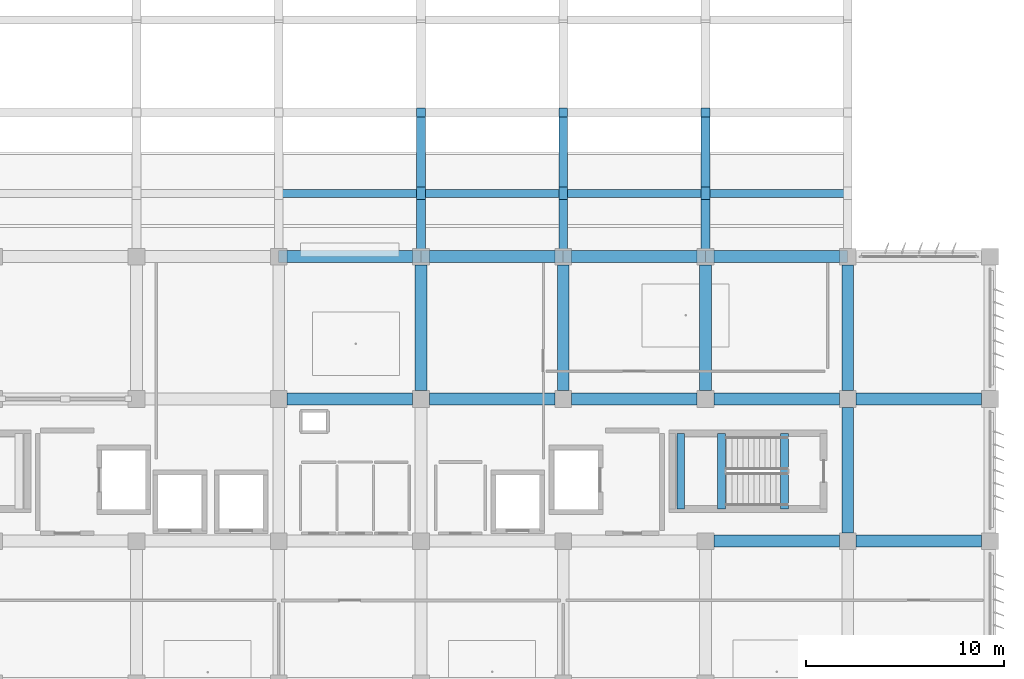
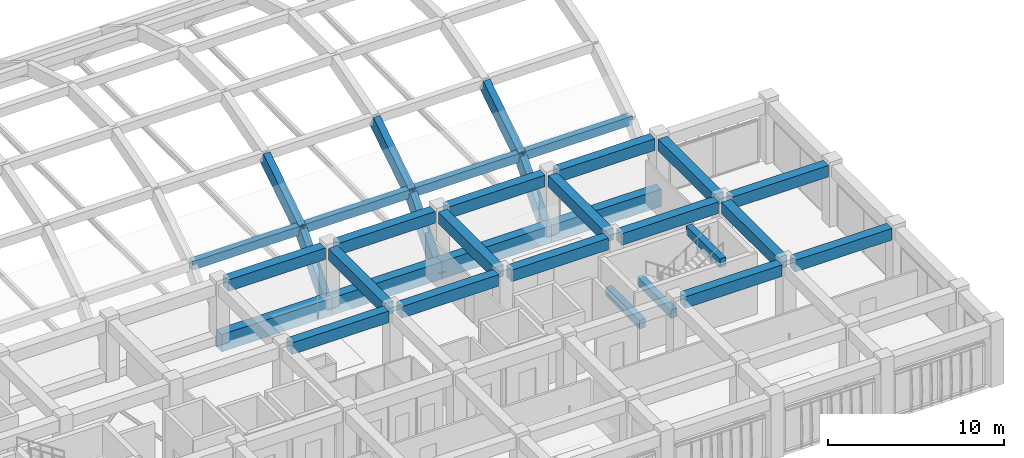
# One storey, part 18 of 48: 33 beams.
"""IFC4 building model written with IfcOpenShell, lengths in metres."""

from ifc_helpers import new_model, si_unit, direction, frame, origin, origin_2d, place, context, subcontext, project, spatial, rectangle, extrude, material, material_profile, profile_set, type_object, element, save


model = new_model("IFC4")

# Units and contexts
model_context = context("Model", 3, precision=1e-05, world=origin(), true_north=direction((0.0, 1.0)))
body_context = subcontext(model_context, "Body", "Model", "MODEL_VIEW")
ifc_project = project(units=[si_unit("LENGTHUNIT", "METRE"), si_unit("AREAUNIT", "SQUARE_METRE"), si_unit("VOLUMEUNIT", "CUBIC_METRE"), si_unit("PLANEANGLEUNIT", "RADIAN"), si_unit("MASSUNIT", "GRAM", prefix="KILO")], contexts=[model_context])

# Site, building, storey
site_placement = place(None, origin())
site = spatial("IfcSite", under=ifc_project, at=site_placement, CompositionType="ELEMENT")
building_placement = place(site_placement, origin())
building = spatial("IfcBuilding", under=site, at=building_placement, Name="Kazehaya Institute of Natural Sciences", CompositionType="ELEMENT")
storey_placement = place(building_placement, frame((0.0, 0.0, 19.800048828125)))
storey = spatial("IfcBuildingStorey", under=building, at=storey_placement, Name="L04", CompositionType="ELEMENT", Elevation=19.800048828125)

# Beams
ifc_material = material(Name="Concrete Fc36", Category="concrete")
ifc_material_profile_1 = material_profile(ifc_material, rectangle(XDim=0.449951171875, YDim=0.85009765625, at=origin_2d()), Name="RC-450x850")
ifc_profile_set_1 = profile_set([ifc_material_profile_1], Name="Concrete Fc36")
beam_type_1 = type_object("IfcBeamType", Name="BM-AR-450x850", PredefinedType="BEAM", material=ifc_profile_set_1)
beam_1_placement = place(storey_placement, frame((90.60009765625, 35.60009765625, -0.429931640625), z_axis=(0.0, 0.659222645841, 0.751947806175), x_axis=(-1.0, 0.0, 0.0)))
element("IfcBeam", 1, at=beam_1_placement, inside=storey, type_object=beam_type_1, Name="SH-VOL2 transverse arch rib SH-VOL2-RIB-90-01", PredefinedType="BEAM", context=body_context, shape_type="SweptSolid", body=[
    extrude(rectangle(XDim=0.449951171875, YDim=0.85009765625, at=origin_2d()), origin(), (0.0, 0.0, 1.0), 4.8603515625),
])
beam_2_placement = place(storey_placement, frame((90.60009765625, 38.80419921875, 3.224853515625), z_axis=(0.0, 0.843332482097, 0.537392151636), x_axis=(-1.0, 0.0, 0.0)))
element("IfcBeam", 2, at=beam_2_placement, inside=storey, type_object=beam_type_1, Name="SH-VOL2 transverse arch rib SH-VOL2-RIB-90-03", PredefinedType="BEAM", context=body_context, shape_type="SweptSolid", body=[
    extrude(rectangle(XDim=0.449951171875, YDim=0.85009765625, at=origin_2d()), origin(), (0.0, 0.0, 1.0), 4.860595703125),
])
beam_3_placement = place(storey_placement, frame((97.800048828125, 35.60009765625, -0.429931640625), z_axis=(0.0, 0.659222645841, 0.751947806175), x_axis=(-1.0, 0.0, 0.0)))
element("IfcBeam", 3, at=beam_3_placement, inside=storey, type_object=beam_type_1, Name="SH-VOL2 transverse arch rib SH-VOL2-RIB-97-01", PredefinedType="BEAM", context=body_context, shape_type="SweptSolid", body=[
    extrude(rectangle(XDim=0.449951171875, YDim=0.85009765625, at=origin_2d()), origin(), (0.0, 0.0, 1.0), 4.8603515625),
])
beam_4_placement = place(storey_placement, frame((97.800048828125, 38.80419921875, 3.224853515625), z_axis=(0.0, 0.843332482097, 0.537392151636), x_axis=(-1.0, 0.0, 0.0)))
element("IfcBeam", 4, at=beam_4_placement, inside=storey, type_object=beam_type_1, Name="SH-VOL2 transverse arch rib SH-VOL2-RIB-97-03", PredefinedType="BEAM", context=body_context, shape_type="SweptSolid", body=[
    extrude(rectangle(XDim=0.449951171875, YDim=0.85009765625, at=origin_2d()), origin(), (0.0, 0.0, 1.0), 4.860595703125),
])
beam_5_placement = place(storey_placement, frame((105.0, 35.60009765625, -0.429931640625), z_axis=(0.0, 0.659222645841, 0.751947806175), x_axis=(-1.0, 0.0, 0.0)))
element("IfcBeam", 5, at=beam_5_placement, inside=storey, type_object=beam_type_1, Name="SH-VOL2 transverse arch rib SH-VOL2-RIB-105-01", PredefinedType="BEAM", context=body_context, shape_type="SweptSolid", body=[
    extrude(rectangle(XDim=0.449951171875, YDim=0.85009765625, at=origin_2d()), origin(), (0.0, 0.0, 1.0), 4.8603515625),
])
beam_6_placement = place(storey_placement, frame((105.0, 38.80419921875, 3.224853515625), z_axis=(0.0, 0.843332482097, 0.537392151636), x_axis=(-1.0, 0.0, 0.0)))
element("IfcBeam", 6, at=beam_6_placement, inside=storey, type_object=beam_type_1, Name="SH-VOL2 transverse arch rib SH-VOL2-RIB-105-03", PredefinedType="BEAM", context=body_context, shape_type="SweptSolid", body=[
    extrude(rectangle(XDim=0.449951171875, YDim=0.85009765625, at=origin_2d()), origin(), (0.0, 0.0, 1.0), 4.860595703125),
])
ifc_material_profile_2 = material_profile(ifc_material, rectangle(XDim=0.39990234375, YDim=0.60009765625, at=origin_2d()), Name="RC-400x600")
ifc_profile_set_2 = profile_set([ifc_material_profile_2], Name="Concrete Fc36")
beam_type_2 = type_object("IfcBeamType", Name="BM-B-400x600", PredefinedType="BEAM", material=ifc_profile_set_2)
beam_7_placement = place(storey_placement, frame((83.39990234375, 38.80419921875, 3.344970703125), z_axis=(1.0, 0.0, 0.0), x_axis=(0.0, 1.0, 0.0)))
element("IfcBeam", 7, at=beam_7_placement, inside=storey, type_object=beam_type_2, Name="SH-VOL2 longitudinal shell rib 2", PredefinedType="BEAM", context=body_context, shape_type="SweptSolid", body=[
    extrude(rectangle(XDim=0.39990234375, YDim=0.60009765625, at=origin_2d()), origin(), (0.0, 0.0, 1.0), 7.2001953125),
])
for number, where, z_axis, x_axis, name in (
    (8, (90.60009765625, 38.80419921875, 3.344970703125), (1.0, 0.0, 0.0), (0.0, 1.0, 0.0), "SH-VOL2 longitudinal shell rib 2"),
    (9, (97.800048828125, 38.80419921875, 3.344970703125), (1.0, 0.0, 0.0), (0.0, 1.0, 0.0), "SH-VOL2 longitudinal shell rib 2"),
    (10, (105.0, 38.80419921875, 3.344970703125), (1.0, 0.0, 0.0), (0.0, 1.0, 0.0), "SH-VOL2 longitudinal shell rib 2"),
):
    element("IfcBeam", number, at=place(storey_placement, frame(where, z_axis=z_axis, x_axis=x_axis)), inside=storey, type_object=beam_type_2, Name=name, PredefinedType="BEAM", context=body_context, shape_type="SweptSolid", body=[
        extrude(rectangle(XDim=0.39990234375, YDim=0.60009765625, at=origin_2d()), origin(), (0.0, 0.0, 1.0), 7.199951171875),
    ])
for number, where, z_axis, x_axis, name in (
    (11, (109.0, 22.820068359375, 4.199951171875), (0.0, 1.0, 0.0), (-1.0, 0.0, 0.0), "L05 ST-2 stair header trimmer beam"),
    (12, (103.75, 22.820068359375, 1.7900390625), (0.0, 1.0, 0.0), (-1.0, 0.0, 0.0), "L04 ST-2 landing beam 1"),
    (13, (105.81005859375, 22.820068359375, 1.7900390625), (0.0, 1.0, 0.0), (-1.0, 0.0, 0.0), "L04 ST-2 landing beam 2"),
):
    element("IfcBeam", number, at=place(storey_placement, frame(where, z_axis=z_axis, x_axis=x_axis)), inside=storey, type_object=beam_type_2, Name=name, PredefinedType="BEAM", context=body_context, shape_type="SweptSolid", body=[
        extrude(rectangle(XDim=0.39990234375, YDim=0.60009765625, at=origin_2d()), origin(), (0.0, 0.0, 1.0), 3.83984375),
    ])
ifc_material_profile_3 = material_profile(ifc_material, rectangle(XDim=0.60009765625, YDim=1.199951171875, at=origin_2d()), Name="RC-600x1200")
ifc_profile_set_3 = profile_set([ifc_material_profile_3], Name="Concrete Fc36")
beam_type_3 = type_object("IfcBeamType", Name="BM-EB-600x1200", PredefinedType="BEAM", material=ifc_profile_set_3)
beam_8_placement = place(storey_placement, frame((83.39990234375, 35.60009765625, 0.0), z_axis=(1.0, 0.0, 0.0), x_axis=(0.0, 1.0, 0.0)))
element("IfcBeam", 14, at=beam_8_placement, inside=storey, type_object=beam_type_3, Name="SH-VOL2 centroidal shell edge beam SH-VOL2-EB-S-2340", PredefinedType="BEAM", context=body_context, shape_type="SweptSolid", body=[
    extrude(rectangle(XDim=0.60009765625, YDim=1.199951171875, at=origin_2d()), origin(), (0.0, 0.0, 1.0), 7.2001953125),
])
for number, where, z_axis, x_axis, name in (
    (15, (90.60009765625, 35.60009765625, 0.0), (1.0, 0.0, 0.0), (0.0, 1.0, 0.0), "SH-VOL2 centroidal shell edge beam SH-VOL2-EB-S-2348"),
    (16, (97.800048828125, 35.60009765625, 0.0), (1.0, 0.0, 0.0), (0.0, 1.0, 0.0), "SH-VOL2 centroidal shell edge beam SH-VOL2-EB-S-2356"),
    (17, (105.0, 35.60009765625, 0.0), (1.0, 0.0, 0.0), (0.0, 1.0, 0.0), "SH-VOL2 centroidal shell edge beam SH-VOL2-EB-S-2364"),
):
    element("IfcBeam", number, at=place(storey_placement, frame(where, z_axis=z_axis, x_axis=x_axis)), inside=storey, type_object=beam_type_3, Name=name, PredefinedType="BEAM", context=body_context, shape_type="SweptSolid", body=[
        extrude(rectangle(XDim=0.60009765625, YDim=1.199951171875, at=origin_2d()), origin(), (0.0, 0.0, 1.0), 7.199951171875),
    ])
ifc_material_profile_4 = material_profile(ifc_material, rectangle(XDim=0.60009765625, YDim=0.800048828125, at=origin_2d()), Name="RC-600x800")
ifc_profile_set_4 = profile_set([ifc_material_profile_4], Name="Concrete Fc36")
beam_type_4 = type_object("IfcBeamType", Name="BM-G-600x800", PredefinedType="BEAM", material=ifc_profile_set_4)
beam_9_placement = place(storey_placement, frame((105.425048828125, 21.199951171875, 3.829833984375), z_axis=(1.0, 0.0, 0.0), x_axis=(0.0, 1.0, 0.0)))
element("IfcBeam", 18, at=beam_9_placement, inside=storey, type_object=beam_type_4, Name="L04 primary X girder BMX-L04-1050-212", PredefinedType="BEAM", context=body_context, shape_type="SweptSolid", body=[
    extrude(rectangle(XDim=0.60009765625, YDim=0.800048828125, at=origin_2d()), origin(), (0.0, 0.0, 1.0), 6.349853515625),
])
for number, where, z_axis, x_axis, name in (
    (19, (112.625, 21.199951171875, 3.829833984375), (1.0, 0.0, 0.0), (0.0, 1.0, 0.0), "L04 primary X girder BMX-L04-1122-212"),
    (20, (83.824951171875, 28.39990234375, 3.829833984375), (1.0, 0.0, 0.0), (0.0, 1.0, 0.0), "L04 primary X girder BMX-L04-834-284"),
    (21, (91.02490234375, 28.39990234375, 3.829833984375), (1.0, 0.0, 0.0), (0.0, 1.0, 0.0), "L04 primary X girder BMX-L04-906-284"),
):
    element("IfcBeam", number, at=place(storey_placement, frame(where, z_axis=z_axis, x_axis=x_axis)), inside=storey, type_object=beam_type_4, Name=name, PredefinedType="BEAM", context=body_context, shape_type="SweptSolid", body=[
        extrude(rectangle(XDim=0.60009765625, YDim=0.800048828125, at=origin_2d()), origin(), (0.0, 0.0, 1.0), 6.35009765625),
    ])
for number, where, z_axis, x_axis, name in (
    (22, (98.22509765625, 28.39990234375, 3.829833984375), (1.0, 0.0, 0.0), (0.0, 1.0, 0.0), "L04 primary X girder BMX-L04-978-284"),
    (23, (105.425048828125, 28.39990234375, 3.829833984375), (1.0, 0.0, 0.0), (0.0, 1.0, 0.0), "L04 primary X girder BMX-L04-1050-284"),
):
    element("IfcBeam", number, at=place(storey_placement, frame(where, z_axis=z_axis, x_axis=x_axis)), inside=storey, type_object=beam_type_4, Name=name, PredefinedType="BEAM", context=body_context, shape_type="SweptSolid", body=[
        extrude(rectangle(XDim=0.60009765625, YDim=0.800048828125, at=origin_2d()), origin(), (0.0, 0.0, 1.0), 6.349853515625),
    ])
for number, where, z_axis, x_axis, name in (
    (24, (112.625, 28.39990234375, 3.829833984375), (1.0, 0.0, 0.0), (0.0, 1.0, 0.0), "L04 primary X girder BMX-L04-1122-284"),
    (25, (83.824951171875, 35.60009765625, 3.829833984375), (1.0, 0.0, 0.0), (0.0, 1.0, 0.0), "L04 primary X girder BMX-L04-834-356"),
    (26, (91.02490234375, 35.60009765625, 3.829833984375), (1.0, 0.0, 0.0), (0.0, 1.0, 0.0), "L04 primary X girder BMX-L04-906-356"),
):
    element("IfcBeam", number, at=place(storey_placement, frame(where, z_axis=z_axis, x_axis=x_axis)), inside=storey, type_object=beam_type_4, Name=name, PredefinedType="BEAM", context=body_context, shape_type="SweptSolid", body=[
        extrude(rectangle(XDim=0.60009765625, YDim=0.800048828125, at=origin_2d()), origin(), (0.0, 0.0, 1.0), 6.35009765625),
    ])
for number, where, z_axis, x_axis, name in (
    (27, (98.22509765625, 35.60009765625, 3.829833984375), (1.0, 0.0, 0.0), (0.0, 1.0, 0.0), "L04 primary X girder BMX-L04-978-356"),
    (28, (105.425048828125, 35.60009765625, 3.829833984375), (1.0, 0.0, 0.0), (0.0, 1.0, 0.0), "L04 primary X girder BMX-L04-1050-356"),
):
    element("IfcBeam", number, at=place(storey_placement, frame(where, z_axis=z_axis, x_axis=x_axis)), inside=storey, type_object=beam_type_4, Name=name, PredefinedType="BEAM", context=body_context, shape_type="SweptSolid", body=[
        extrude(rectangle(XDim=0.60009765625, YDim=0.800048828125, at=origin_2d()), origin(), (0.0, 0.0, 1.0), 6.349853515625),
    ])
for number, where, z_axis, x_axis, name in (
    (29, (90.60009765625, 28.824951171875, 3.829833984375), (0.0, 1.0, 0.0), (-1.0, 0.0, 0.0), "L04 primary Y girder BMY-L04-906-284"),
    (30, (97.800048828125, 28.824951171875, 3.829833984375), (0.0, 1.0, 0.0), (-1.0, 0.0, 0.0), "L04 primary Y girder BMY-L04-978-284"),
    (31, (105.0, 28.824951171875, 3.829833984375), (0.0, 1.0, 0.0), (-1.0, 0.0, 0.0), "L04 primary Y girder BMY-L04-1050-284"),
    (32, (112.199951171875, 21.625, 3.829833984375), (0.0, 1.0, 0.0), (-1.0, 0.0, 0.0), "L04 primary Y girder BMY-L04-1122-212"),
    (33, (112.199951171875, 28.824951171875, 3.829833984375), (0.0, 1.0, 0.0), (-1.0, 0.0, 0.0), "L04 primary Y girder BMY-L04-1122-284"),
):
    element("IfcBeam", number, at=place(storey_placement, frame(where, z_axis=z_axis, x_axis=x_axis)), inside=storey, type_object=beam_type_4, Name=name, PredefinedType="BEAM", context=body_context, shape_type="SweptSolid", body=[
        extrude(rectangle(XDim=0.60009765625, YDim=0.800048828125, at=origin_2d()), origin(), (0.0, 0.0, 1.0), 6.35009765625),
    ])

save(model, "model.ifc")
